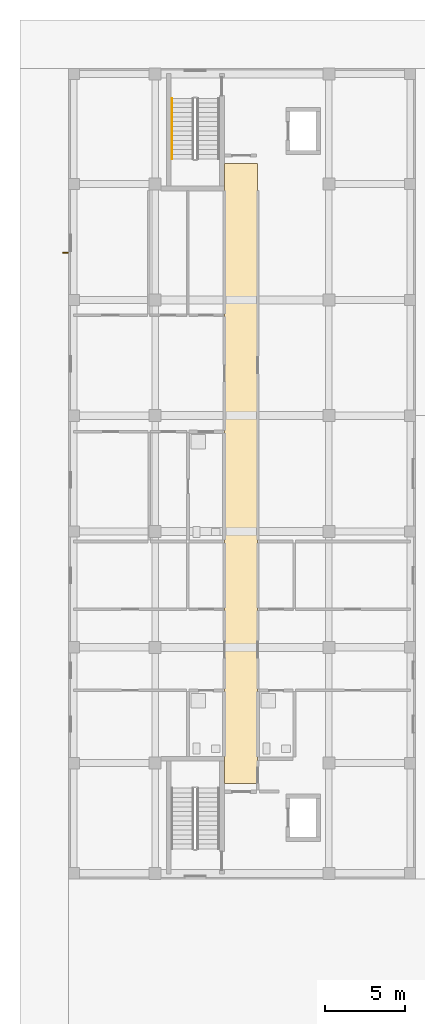
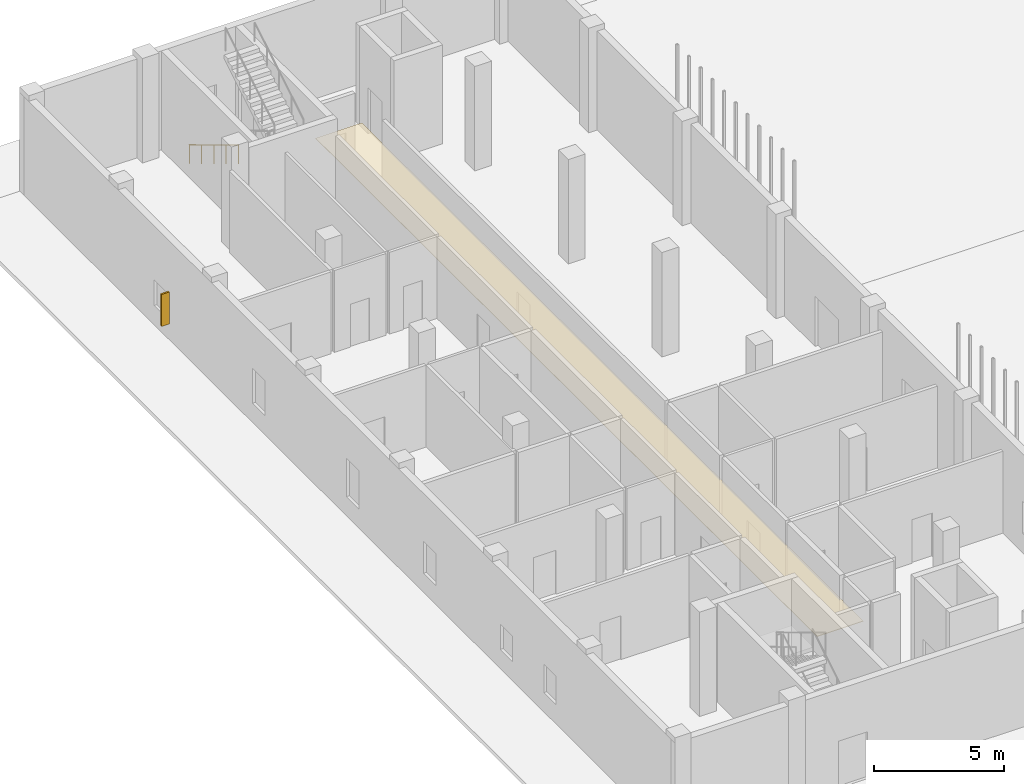
# One storey, part 69 of 85: 1 covering, 1 railing, 1 shading device.
"""IFC4 building model written with IfcOpenShell, lengths in metres."""

from ifc_helpers import new_model, si_unit, derived_unit, direction, frame, origin, origin_2d, place, context, subcontext, project, spatial, polyline, rectangle, circle, outline, extrude, material, layer, layer_set, type_object, element, save


model = new_model("IFC4")

# Units and contexts
model_context = context("Model", 3, precision=1e-05, world=origin(), true_north=direction((0.0, 1.0)))
body_context = subcontext(model_context, "Body", "Model", "MODEL_VIEW")
ifc_project = project(units=[si_unit("LENGTHUNIT", "METRE"), si_unit("AREAUNIT", "SQUARE_METRE"), si_unit("VOLUMEUNIT", "CUBIC_METRE"), si_unit("PLANEANGLEUNIT", "RADIAN"), si_unit("MASSUNIT", "GRAM", prefix="KILO"), derived_unit("THERMALTRANSMITTANCEUNIT", [(si_unit("MASSUNIT", "GRAM", prefix="KILO"), 1), (si_unit("TIMEUNIT", "SECOND"), -3), (si_unit("THERMODYNAMICTEMPERATUREUNIT", "KELVIN"), -1)])], contexts=[model_context])

# Site, building, storey
site_placement = place(None, origin())
site = spatial("IfcSite", under=ifc_project, at=site_placement, CompositionType="ELEMENT")
building_placement = place(site_placement, origin())
building = spatial("IfcBuilding", under=site, at=building_placement, Name="Ochrekiln Boulevard Commons", CompositionType="ELEMENT")
storey_placement = place(building_placement, origin())
storey = spatial("IfcBuildingStorey", under=building, at=storey_placement, Name="L00", CompositionType="ELEMENT", Elevation=0.0)

# Covering
ifc_material_1 = material(Name="Mineral-fibre acoustic ceiling tile")
ifc_layer = layer(ifc_material_1, 0.02490234375)
ifc_layer_set = layer_set([ifc_layer], Name="Mineral-fibre acoustic ceiling tile")
covering_type = type_object("IfcCoveringType", Name="COV-CEIL-AC", PredefinedType="CEILING", material=ifc_layer_set)
covering_placement = place(storey_placement, frame((0.0, 0.0, 2.64990234375)))
element("IfcCovering", 1, at=covering_placement, inside=storey, type_object=covering_type, Name="L00 Acoustic Corridor Ceiling 1", PredefinedType="CEILING", context=body_context, shape_type="SweptSolid", body=[
    extrude(outline(polyline([(9.719970703125, 74.320068359375), (11.780029296875, 74.320068359375), (11.780029296875, 112.8798828125), (9.719970703125, 112.8798828125), (9.719970703125, 74.320068359375)])), origin(), (0.0, 0.0, 1.0), 0.025146484375),
])

# Railing
ifc_material_2 = material(Name="Brushed stainless steel 316 tubular railing", Category="steel")
railing_type = type_object("IfcRailingType", Name="RLG-HDR-900", PredefinedType="HANDRAIL", material=ifc_material_2)
railing_placement = place(storey_placement, frame((6.449951171875, 116.929931640625, 0.175048828125)))
element("IfcRailing", 2, at=railing_placement, inside=storey, type_object=railing_type, Name="L00 ST-A2 stair handrail 1", PredefinedType="HANDRAIL", context=body_context, shape_type="SweptSolid", body=[
    extrude(circle(Radius=0.02392578125, at=origin_2d()), frame((0.0, 0.0, 0.8759765625), z_axis=(0.0, -0.856198655849, 0.51664674752), x_axis=(1.0, 0.0, 0.0)), (0.0, 0.0, 1.0), 4.4033203125),
    extrude(circle(Radius=0.02099609375, at=origin_2d()), origin(), (0.0, 0.0, 1.0), 0.851806640625),
    extrude(circle(Radius=0.02099609375, at=origin_2d()), frame((0.0, -0.9423828125, 0.56884765625)), (0.0, 0.0, 1.0), 0.851806640625),
    extrude(circle(Radius=0.02099609375, at=origin_2d()), frame((0.0, -1.885009765625, 1.137451171875)), (0.0, 0.0, 1.0), 0.851806640625),
    extrude(circle(Radius=0.02099609375, at=origin_2d()), frame((0.0, -2.82763671875, 1.7060546875)), (0.0, 0.0, 1.0), 0.851806640625),
    extrude(circle(Radius=0.02099609375, at=origin_2d()), frame((0.0, -3.77001953125, 2.27490234375)), (0.0, 0.0, 1.0), 0.851806640625),
])

# Shading device
ifc_material_3 = material(Name="Glazed architectural terracotta ASTM C1405", Category="masonry")
shading_device_type = type_object("IfcShadingDeviceType", Name="SHD-FIN-TERRA", PredefinedType="JALOUSIE", material=ifc_material_3)
shading_device_placement = place(storey_placement, frame((-0.169921875, 107.330078125, 0.75), z_axis=(0.0, 0.0, 1.0), x_axis=(1.0, 0.0, 0.0)))
element("IfcShadingDevice", 3, at=shading_device_placement, inside=storey, type_object=shading_device_type, Name="Terracotta Solar Shading Fin SF-01 (1)", PredefinedType="JALOUSIE", context=body_context, shape_type="SweptSolid", body=[
    extrude(rectangle(XDim=0.35009765625, YDim=0.080078125, at=origin_2d()), origin(), (0.0, 0.0, 1.0), 1.5),
])

save(model, "model.ifc")
